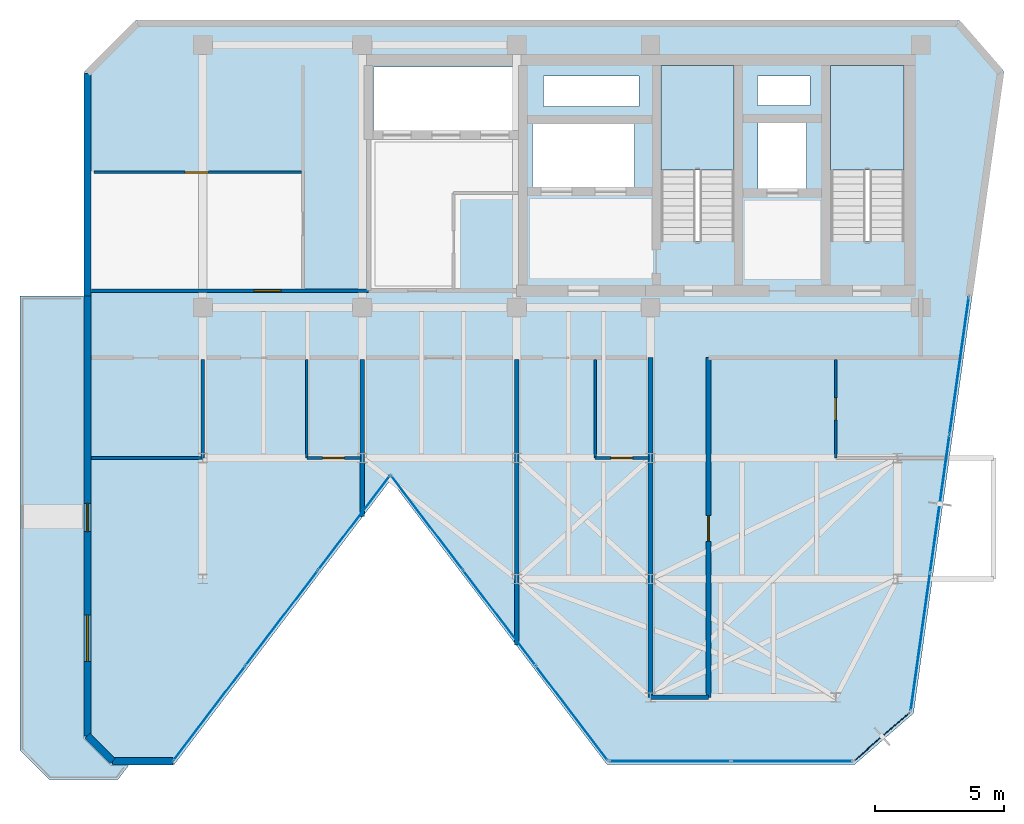
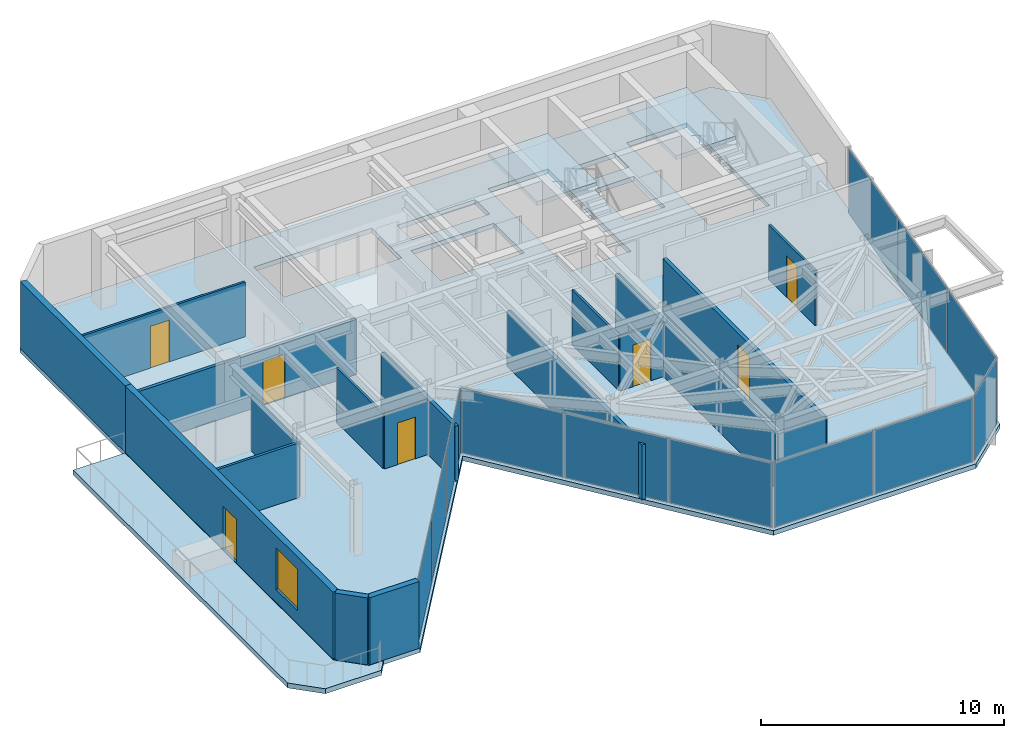
# One storey, part 12 of 16: 18 walls, 12 plates, 7 doors, 4 slabs, 1 window, 8 openings, 7 elements without a shape of their own.
"""IFC4 building model written with IfcOpenShell, lengths in metres."""

from ifc_helpers import new_model, si_unit, direction, frame, frame_2d, origin, origin_2d, place, context, subcontext, project, spatial, polyline, rectangle, outline, extrude, material, layer, layer_set, type_object, element, fill, aggregate, save


model = new_model("IFC4")

# Units and contexts
model_context = context("Model", 3, precision=1e-05, world=origin(), true_north=direction((0.0, 1.0)))
body_context = subcontext(model_context, "Body", "Model", "MODEL_VIEW")
ifc_project = project(units=[si_unit("LENGTHUNIT", "METRE"), si_unit("AREAUNIT", "SQUARE_METRE"), si_unit("VOLUMEUNIT", "CUBIC_METRE"), si_unit("PLANEANGLEUNIT", "RADIAN"), si_unit("MASSUNIT", "GRAM", prefix="KILO")], contexts=[model_context])

# Site, building, storey
site_placement = place(None, origin())
site = spatial("IfcSite", under=ifc_project, at=site_placement, CompositionType="ELEMENT")
building_placement = place(site_placement, origin())
building = spatial("IfcBuilding", under=site, at=building_placement, Name="Kravanh Interchange Tower", CompositionType="ELEMENT")
storey_placement = place(building_placement, frame((0.0, 0.0, 296.699951171875)))
storey = spatial("IfcBuildingStorey", under=building, at=storey_placement, Name="L73", CompositionType="ELEMENT", Elevation=296.699951171875)

# Curtain wall, plates
ifc_material_1 = material(Name="Anodised Bronze Aluminium", Category="aluminium")
ifc_layer_1 = layer(ifc_material_1, 0.179931640625)
ifc_layer_set_1 = layer_set([ifc_layer_1], Name="Unitised Curtain Wall System CW-HTL Luxury Hotel")
curtain_wall_type = type_object("IfcCurtainWallType", Name="Unitised Curtain Wall System CW-HTL Luxury Hotel", PredefinedType="NOTDEFINED", material=ifc_layer_set_1)
curtain_wall_1_placement = place(storey_placement, origin())
curtain_wall_1 = element("IfcCurtainWall", 1, at=curtain_wall_1_placement, inside=storey, type_object=curtain_wall_type, Name="L73 Unitised Curtain Wall CW-L73-01", PredefinedType="NOTDEFINED")
ifc_material_2 = material(Name="Low-E Laminated Architectural Glass", Category="glass")
ifc_layer_2 = layer(ifc_material_2, 0.030029296875)
ifc_layer_set_2 = layer_set([ifc_layer_2], Name="Acoustic Laminated Glazing 30mm")
plate_type = type_object("IfcPlateType", Name="Acoustic Laminated Glazing 30mm", PredefinedType="CURTAIN_PANEL", material=ifc_layer_set_2)
plate_1_placement = place(storey_placement, frame((67.99462890625, 35.092041015625, 0.06005859375), z_axis=(0.0, 0.0, 1.0), x_axis=(-0.139178207869, -0.990267350999, 0.0)))
plate_1 = element("IfcPlate", 2, at=plate_1_placement, type_object=plate_type, Name="CW-HTL panel 1.1", PredefinedType="CURTAIN_PANEL", context=body_context, shape_type="SweptSolid", body=[
    extrude(rectangle(XDim=5.34912109375, YDim=0.030029296875, at=origin_2d()), origin(), (0.0, 0.0, 1.0), 3.2451171875),
])
plate_2_placement = place(storey_placement, frame((67.239501953125, 29.720703125, 0.06005859375), z_axis=(0.0, 0.0, 1.0), x_axis=(-0.139178207869, -0.990267350999, 0.0)))
plate_2 = element("IfcPlate", 3, at=plate_2_placement, type_object=plate_type, Name="CW-HTL panel 2.1", PredefinedType="CURTAIN_PANEL", context=body_context, shape_type="SweptSolid", body=[
    extrude(rectangle(XDim=5.379150390625, YDim=0.030029296875, at=origin_2d()), origin(), (0.0, 0.0, 1.0), 3.2451171875),
])
plate_3_placement = place(storey_placement, frame((66.484619140625, 24.349609375, 0.06005859375), z_axis=(0.0, 0.0, 1.0), x_axis=(-0.139178207869, -0.990267350999, 0.0)))
plate_3 = element("IfcPlate", 4, at=plate_3_placement, type_object=plate_type, Name="CW-HTL panel 3.1", PredefinedType="CURTAIN_PANEL", context=body_context, shape_type="SweptSolid", body=[
    extrude(rectangle(XDim=5.34912109375, YDim=0.030029296875, at=origin_2d()), origin(), (0.0, 0.0, 1.0), 3.2451171875),
])
aggregate(curtain_wall_1, [plate_1, plate_2, plate_3])

# Curtain wall, plate
curtain_wall_2_placement = place(storey_placement, origin())
curtain_wall_2 = element("IfcCurtainWall", 5, at=curtain_wall_2_placement, inside=storey, type_object=curtain_wall_type, Name="L73 Unitised Curtain Wall CW-L73-02", PredefinedType="NOTDEFINED")
plate_4_placement = place(storey_placement, frame((64.998779296875, 20.680908203125, 0.06005859375), z_axis=(0.0, 0.0, 1.0), x_axis=(-0.754717231494, -0.656050227106, 0.0)))
plate_4 = element("IfcPlate", 6, at=plate_4_placement, type_object=plate_type, Name="CW-HTL panel 1.1", PredefinedType="CURTAIN_PANEL", context=body_context, shape_type="SweptSolid", body=[
    extrude(rectangle(XDim=2.80908203125, YDim=0.030029296875, at=origin_2d()), origin(), (0.0, 0.0, 1.0), 3.2451171875),
])
aggregate(curtain_wall_2, [plate_4])

# Curtain wall, plates
curtain_wall_3_placement = place(storey_placement, origin())
curtain_wall_3 = element("IfcCurtainWall", 7, at=curtain_wall_3_placement, inside=storey, type_object=curtain_wall_type, Name="L73 Unitised Curtain Wall CW-L73-03", PredefinedType="NOTDEFINED")
plate_5_placement = place(storey_placement, frame((61.4951171875, 19.719970703125, 0.06005859375), z_axis=(0.0, 0.0, 1.0), x_axis=(-1.0, 0.0, 0.0)))
plate_5 = element("IfcPlate", 8, at=plate_5_placement, type_object=plate_type, Name="CW-HTL panel 1.1", PredefinedType="CURTAIN_PANEL", context=body_context, shape_type="SweptSolid", body=[
    extrude(rectangle(XDim=4.677001953125, YDim=0.030029296875, at=origin_2d()), origin(), (0.0, 0.0, 1.0), 3.2451171875),
])
plate_6_placement = place(storey_placement, frame((56.758056640625, 19.719970703125, 0.06005859375), z_axis=(0.0, 0.0, 1.0), x_axis=(-1.0, 0.0, 0.0)))
plate_6 = element("IfcPlate", 9, at=plate_6_placement, type_object=plate_type, Name="CW-HTL panel 2.1", PredefinedType="CURTAIN_PANEL", context=body_context, shape_type="SweptSolid", body=[
    extrude(rectangle(XDim=4.677001953125, YDim=0.030029296875, at=origin_2d()), origin(), (0.0, 0.0, 1.0), 3.2451171875),
])
aggregate(curtain_wall_3, [plate_5, plate_6])

curtain_wall_4_placement = place(storey_placement, origin())
curtain_wall_4 = element("IfcCurtainWall", 10, at=curtain_wall_4_placement, inside=storey, type_object=curtain_wall_type, Name="L73 Unitised Curtain Wall CW-L73-04", PredefinedType="NOTDEFINED")
plate_7_placement = place(storey_placement, frame((52.9404296875, 21.587158203125, 0.06005859375), z_axis=(0.0, 0.0, 1.0), x_axis=(-0.605083992962, 0.796161642797, 0.0)))
plate_7 = element("IfcPlate", 11, at=plate_7_placement, type_object=plate_type, Name="CW-HTL panel 1.1", PredefinedType="CURTAIN_PANEL", context=body_context, shape_type="SweptSolid", body=[
    extrude(rectangle(XDim=4.5703125, YDim=0.030029296875, at=origin_2d()), origin(), (0.0, 0.0, 1.0), 3.2451171875),
])
plate_8_placement = place(storey_placement, frame((50.129638671875, 25.285400390625, 0.06005859375), z_axis=(0.0, 0.0, 1.0), x_axis=(-0.605083992962, 0.796161642797, 0.0)))
plate_8 = element("IfcPlate", 12, at=plate_8_placement, type_object=plate_type, Name="CW-HTL panel 2.1", PredefinedType="CURTAIN_PANEL", context=body_context, shape_type="SweptSolid", body=[
    extrude(rectangle(XDim=4.600341796875, YDim=0.030029296875, at=origin_2d()), origin(), (0.0, 0.0, 1.0), 3.2451171875),
])
plate_9_placement = place(storey_placement, frame((47.319091796875, 28.98388671875, 0.06005859375), z_axis=(0.0, 0.0, 1.0), x_axis=(-0.605083992962, 0.796161642797, 0.0)))
plate_9 = element("IfcPlate", 13, at=plate_9_placement, type_object=plate_type, Name="CW-HTL panel 3.1", PredefinedType="CURTAIN_PANEL", context=body_context, shape_type="SweptSolid", body=[
    extrude(rectangle(XDim=4.5703125, YDim=0.030029296875, at=origin_2d()), origin(), (0.0, 0.0, 1.0), 3.2451171875),
])
aggregate(curtain_wall_4, [plate_7, plate_8, plate_9])

curtain_wall_5_placement = place(storey_placement, origin())
curtain_wall_5 = element("IfcCurtainWall", 14, at=curtain_wall_5_placement, inside=storey, type_object=curtain_wall_type, Name="L73 Unitised Curtain Wall CW-L73-05", PredefinedType="NOTDEFINED")
plate_10_placement = place(storey_placement, frame((44.48095703125, 28.98388671875, 0.06005859375), z_axis=(0.0, 0.0, 1.0), x_axis=(-0.605083992962, -0.796161642797, 0.0)))
plate_10 = element("IfcPlate", 15, at=plate_10_placement, type_object=plate_type, Name="CW-HTL panel 1.1", PredefinedType="CURTAIN_PANEL", context=body_context, shape_type="SweptSolid", body=[
    extrude(rectangle(XDim=4.5703125, YDim=0.030029296875, at=origin_2d()), origin(), (0.0, 0.0, 1.0), 3.2451171875),
])
plate_11_placement = place(storey_placement, frame((41.670166015625, 25.285400390625, 0.06005859375), z_axis=(0.0, 0.0, 1.0), x_axis=(-0.605083992962, -0.796161642797, 0.0)))
plate_11 = element("IfcPlate", 16, at=plate_11_placement, type_object=plate_type, Name="CW-HTL panel 2.1", PredefinedType="CURTAIN_PANEL", context=body_context, shape_type="SweptSolid", body=[
    extrude(rectangle(XDim=4.600341796875, YDim=0.030029296875, at=origin_2d()), origin(), (0.0, 0.0, 1.0), 3.2451171875),
])
plate_12_placement = place(storey_placement, frame((38.859375, 21.587158203125, 0.06005859375), z_axis=(0.0, 0.0, 1.0), x_axis=(-0.605083992962, -0.796161642797, 0.0)))
plate_12 = element("IfcPlate", 17, at=plate_12_placement, type_object=plate_type, Name="CW-HTL panel 3.1", PredefinedType="CURTAIN_PANEL", context=body_context, shape_type="SweptSolid", body=[
    extrude(rectangle(XDim=4.5703125, YDim=0.030029296875, at=origin_2d()), origin(), (0.0, 0.0, 1.0), 3.2451171875),
])
aggregate(curtain_wall_5, [plate_10, plate_11, plate_12])

# Slab
ifc_material_3 = material(Name="Concrete C50/60", Category="concrete")
ifc_layer_3 = layer(ifc_material_3, 0.235107421875)
ifc_layer_set_3 = layer_set([ifc_layer_3], Name="Composite Floor Slab Concrete C50/60 235mm")
slab_type_1 = type_object("IfcSlabType", Name="Composite Floor Slab Concrete C50/60 235mm", PredefinedType="FLOOR", material=ifc_layer_set_3)
slab_1_placement = place(storey_placement, frame((0.0, 0.0, -0.23486328125)))
element("IfcSlab", 18, at=slab_1_placement, inside=storey, type_object=slab_type_1, Name="L73 Structural Floor Slab", PredefinedType="FLOOR", context=body_context, shape_type="SweptSolid", body=[
    extrude(outline(polyline([(34.0, 20.64990234375), (35.050048828125, 19.60009765625), (37.5, 19.60009765625), (45.89990234375, 30.652587890625), (54.300048828125, 19.60009765625), (63.9384765625, 19.60009765625), (66.216796875, 21.58056640625), (69.7216796875, 46.51953125), (68.0, 48.5), (36.0, 48.5), (34.0, 46.5), (34.0, 20.64990234375)]), holes=[polyline([(65.85009765625, 39.925048828125), (65.85009765625, 46.75), (63.0, 46.75), (63.0, 39.925048828125), (65.85009765625, 39.925048828125)]), polyline([(59.25, 39.925048828125), (59.25, 46.75), (56.39990234375, 46.75), (56.39990234375, 39.925048828125), (59.25, 39.925048828125)]), polyline([(45.239990234375, 44.219970703125), (50.840087890625, 44.219970703125), (50.840087890625, 46.699951171875), (45.239990234375, 46.699951171875), (45.239990234375, 44.219970703125)]), polyline([(51.419921875, 42.02001953125), (55.3798828125, 42.02001953125), (55.3798828125, 44.47998046875), (51.419921875, 44.47998046875), (51.419921875, 42.02001953125)]), polyline([(60.179931640625, 41.97998046875), (62.06005859375, 41.97998046875), (62.06005859375, 44.52001953125), (60.179931640625, 44.52001953125), (60.179931640625, 41.97998046875)]), polyline([(60.14990234375, 45.199951171875), (62.199951171875, 45.199951171875), (62.199951171875, 46.35009765625), (60.14990234375, 46.35009765625), (60.14990234375, 45.199951171875)]), polyline([(51.85009765625, 45.14990234375), (55.550048828125, 45.14990234375), (55.550048828125, 46.35009765625), (51.85009765625, 46.35009765625), (51.85009765625, 45.14990234375)])]), origin(), (0.0, 0.0, 1.0), 0.23486328125),
])

# Stair, slab
ifc_material_4 = material(Name="Concrete C50/60", Category="concrete")
stair_type = type_object("IfcStairType", Name="Core Fire Exit Dogleg Stair Concrete C50/60", PredefinedType="HALF_TURN_STAIR", material=ifc_material_4)
stair_1_placement = place(storey_placement, origin())
stair_1 = element("IfcStair", 19, at=stair_1_placement, inside=storey, type_object=stair_type, Name="L73 Exit Stair ST1", PredefinedType="HALF_TURN_STAIR")
ifc_material_5 = material(Name="Concrete C50/60", Category="concrete")
ifc_layer_4 = layer(ifc_material_5, 0.199951171875)
ifc_layer_set_4 = layer_set([ifc_layer_4], Name="Concrete C50/60 Stair Half-Landing Slab 200mm")
slab_type_2 = type_object("IfcSlabType", Name="Concrete C50/60 Stair Half-Landing Slab 200mm", PredefinedType="LANDING", material=ifc_layer_set_4)
slab_2_placement = place(storey_placement, frame((0.0, 0.0, 1.60009765625)))
slab_2 = element("IfcSlab", 20, at=slab_2_placement, type_object=slab_type_2, Name="ST1 landing 1", PredefinedType="LANDING", context=body_context, shape_type="SweptSolid", body=[
    extrude(outline(polyline([(65.85009765625, 42.699951171875), (65.85009765625, 46.75), (63.0, 46.75), (63.0, 42.699951171875), (65.85009765625, 42.699951171875)])), origin(), (0.0, 0.0, 1.0), 0.199951171875),
])
aggregate(stair_1, [slab_2])

stair_2_placement = place(storey_placement, origin())
stair_2 = element("IfcStair", 21, at=stair_2_placement, inside=storey, type_object=stair_type, Name="L73 Exit Stair ST2", PredefinedType="HALF_TURN_STAIR")
slab_3_placement = place(storey_placement, frame((0.0, 0.0, 1.60009765625)))
slab_3 = element("IfcSlab", 22, at=slab_3_placement, type_object=slab_type_2, Name="ST2 landing 1", PredefinedType="LANDING", context=body_context, shape_type="SweptSolid", body=[
    extrude(outline(polyline([(59.25, 42.699951171875), (59.25, 46.75), (56.39990234375, 46.75), (56.39990234375, 42.699951171875), (59.25, 42.699951171875)])), origin(), (0.0, 0.0, 1.0), 0.199951171875),
])
aggregate(stair_2, [slab_3])

# Slab
ifc_material_6 = material(Name="Concrete C50/60", Category="concrete")
ifc_layer_5 = layer(ifc_material_6, 0.25)
ifc_layer_set_5 = layer_set([ifc_layer_5], Name="Insulated Terrace Roof Slab Concrete C50/60 250mm")
slab_type_3 = type_object("IfcSlabType", Name="Insulated Terrace Roof Slab Concrete C50/60 250mm", PredefinedType="ROOF", material=ifc_layer_set_5)
slab_4_placement = place(storey_placement, frame((0.0, 0.0, -0.25)))
element("IfcSlab", 23, at=slab_4_placement, inside=storey, type_object=slab_type_3, Name="L73 Stepped Terrace Roof 1", PredefinedType="ROOF", context=body_context, shape_type="SweptSolid", body=[
    extrude(outline(polyline([(32.639892578125, 19.0), (31.5, 20.139892578125), (31.5, 37.800048828125), (33.9599609375, 37.800048828125), (33.9599609375, 20.63330078125), (35.033447265625, 19.56005859375), (35.7255859375, 19.56005859375), (35.300048828125, 19.0), (32.639892578125, 19.0)])), origin(), (0.0, 0.0, 1.0), 0.25),
])

# Walls
ifc_material_7 = material(Name="Double Acoustic Gypsum Board and Mineral Wool")
ifc_layer_6 = layer(ifc_material_7, 0.1201171875)
ifc_layer_set_6 = layer_set([ifc_layer_6], Name="Acoustic Office Drywall Partition 120mm")
wall_type_1 = type_object("IfcWallType", Name="Acoustic Office Drywall Partition 120mm", PredefinedType="PARTITIONING", material=ifc_layer_set_6)
wall_1_placement = place(storey_placement, frame((38.60009765625, 31.5, 0.0), z_axis=(0.0, 0.0, 1.0), x_axis=(0.0, 1.0, 0.0)))
element("IfcWall", 24, at=wall_1_placement, inside=storey, type_object=wall_type_1, Name="L73 Interior Partition 15", PredefinedType="PARTITIONING", context=body_context, shape_type="SweptSolid", body=[
    extrude(rectangle(XDim=3.83203125, YDim=0.1201171875, at=frame_2d((1.916015625, 0.0))), origin(), (0.0, 0.0, 1.0), 2.754150390625),
])
wall_2_placement = place(storey_placement, frame((34.284912109375, 31.5, 0.0), z_axis=(0.0, 0.0, 1.0), x_axis=(1.0, 0.0, 0.0)))
element("IfcWall", 25, at=wall_2_placement, inside=storey, type_object=wall_type_1, Name="L73 Interior Partition 16", PredefinedType="PARTITIONING", context=body_context, shape_type="SweptSolid", body=[
    extrude(rectangle(XDim=4.315185546875, YDim=0.1201171875, at=frame_2d((2.15771484375, 0.0))), origin(), (0.0, 0.0, 1.0), 2.754150390625),
])

# Wall, opening, door
ifc_material_8 = material(Name="Moisture-Resistant Gypsum Board and Mineral Wool")
ifc_layer_7 = layer(ifc_material_8, 0.10009765625)
ifc_layer_set_7 = layer_set([ifc_layer_7], Name="En-Suite Moisture-Resistant Partition 100mm")
wall_type_2 = type_object("IfcWallType", Name="En-Suite Moisture-Resistant Partition 100mm", PredefinedType="PARTITIONING", material=ifc_layer_set_7)
wall_3_placement = place(storey_placement, frame((34.3779296875, 42.60009765625, 0.0), z_axis=(0.0, 0.0, 1.0), x_axis=(1.0, 0.0, 0.0)))
wall_3 = element("IfcWall", 26, at=wall_3_placement, inside=storey, type_object=wall_type_2, Name="L73 Interior Partition 8", PredefinedType="PARTITIONING", context=body_context, shape_type="SweptSolid", body=[
    extrude(rectangle(XDim=8.053955078125, YDim=0.10009765625, at=frame_2d((4.02685546875, 0.0))), origin(), (0.0, 0.0, 1.0), 2.754150390625),
])
opening_1_placement = place(wall_3_placement, frame((3.536865234375, 0.0, 0.0)))
opening_1 = element("IfcOpeningElement", 27, at=opening_1_placement, cuts=wall_3, Name="Opening D-90", PredefinedType="OPENING", context=body_context, shape_type="SweptSolid", body=[
    extrude(rectangle(XDim=0.89990234375, YDim=2.10009765625, at=frame_2d((0.449951171875, 1.050048828125))), frame((0.0, 0.06005859375, 0.0), z_axis=(0.0, -1.0, 0.0), x_axis=(1.0, 0.0, 0.0)), (0.0, 0.0, 1.0), 0.1201171875),
])
ifc_material_9 = material(Name="Painted Solid-Core Timber", Category="wood")
door_type_1 = type_object("IfcDoorType", Name="Service Room Door 900x2100", OperationType="NOTDEFINED", PredefinedType="DOOR", material=ifc_material_9)
door_1_placement = place(opening_1_placement, origin())
door_1 = element("IfcDoor", 28, at=door_1_placement, inside=storey, type_object=door_type_1, Name="L73 Quiet Reading Alcove Inner Door", OperationType="SINGLE_SWING_LEFT", OverallHeight=2.10009765625, OverallWidth=0.89990234375, PredefinedType="DOOR", context=body_context, shape_type="SweptSolid", body=[
    extrude(rectangle(XDim=0.89990234375, YDim=2.10009765625, at=frame_2d((0.449951171875, 1.050048828125))), frame((0.0, 0.02490234375, 0.0), z_axis=(0.0, -1.0, 0.0), x_axis=(1.0, 0.0, 0.0)), (0.0, 0.0, 1.0), 0.050048828125),
])
fill(opening_1, door_1)

wall_4_placement = place(storey_placement, frame((63.199951171875, 31.5, 0.0), z_axis=(0.0, 0.0, 1.0), x_axis=(0.0, 1.0, 0.0)))
wall_4 = element("IfcWall", 29, at=wall_4_placement, inside=storey, type_object=wall_type_2, Name="L73 Interior Partition 18", PredefinedType="PARTITIONING", context=body_context, shape_type="SweptSolid", body=[
    extrude(rectangle(XDim=3.83203125, YDim=0.10009765625, at=frame_2d((1.916015625, 0.0))), origin(), (0.0, 0.0, 1.0), 2.754150390625),
])
opening_2_placement = place(wall_4_placement, frame((1.48486328125, 0.0, 0.0)))
opening_2 = element("IfcOpeningElement", 30, at=opening_2_placement, cuts=wall_4, Name="Opening D-85", PredefinedType="OPENING", context=body_context, shape_type="SweptSolid", body=[
    extrude(rectangle(XDim=0.85009765625, YDim=2.10009765625, at=frame_2d((0.425048828125, 1.050048828125))), frame((0.0, 0.06005859375, 0.0), z_axis=(0.0, -1.0, 0.0), x_axis=(1.0, 0.0, 0.0)), (0.0, 0.0, 1.0), 0.1201171875),
])
ifc_material_10 = material(Name="Engineered Teak Veneer Timber", Category="wood")
door_type_2 = type_object("IfcDoorType", Name="En-Suite Timber Door 850x2100", OperationType="NOTDEFINED", PredefinedType="DOOR", material=ifc_material_10)
door_2_placement = place(opening_2_placement, origin())
door_2 = element("IfcDoor", 31, at=door_2_placement, inside=storey, type_object=door_type_2, Name="L73 En-suite Bathroom Door", OperationType="SINGLE_SWING_LEFT", OverallHeight=2.10009765625, OverallWidth=0.85009765625, PredefinedType="DOOR", context=body_context, shape_type="SweptSolid", body=[
    extrude(rectangle(XDim=0.85009765625, YDim=2.10009765625, at=frame_2d((0.425048828125, 1.050048828125))), frame((0.0, 0.02490234375, 0.0), z_axis=(0.0, -1.0, 0.0), x_axis=(1.0, 0.0, 0.0)), (0.0, 0.0, 1.0), 0.050048828125),
])
fill(opening_2, door_2)

# Wall
wall_5_placement = place(storey_placement, frame((42.64990234375, 31.5, 0.0), z_axis=(0.0, 0.0, 1.0), x_axis=(0.0, 1.0, 0.0)))
element("IfcWall", 32, at=wall_5_placement, inside=storey, type_object=wall_type_2, Name="L73 Interior Partition 19", PredefinedType="PARTITIONING", context=body_context, shape_type="SweptSolid", body=[
    extrude(rectangle(XDim=3.83203125, YDim=0.10009765625, at=frame_2d((1.916015625, 0.0))), origin(), (0.0, 0.0, 1.0), 2.754150390625),
])

# Wall, opening, door
wall_6_placement = place(storey_placement, frame((42.64990234375, 31.5, 0.0), z_axis=(0.0, 0.0, 1.0), x_axis=(1.0, 0.0, 0.0)))
wall_6 = element("IfcWall", 33, at=wall_6_placement, inside=storey, type_object=wall_type_2, Name="L73 Interior Partition 20", PredefinedType="PARTITIONING", context=body_context, shape_type="SweptSolid", body=[
    extrude(rectangle(XDim=2.08203125, YDim=0.10009765625, at=frame_2d((1.041015625, 0.0))), origin(), (0.0, 0.0, 1.0), 2.754150390625),
])
opening_3_placement = place(wall_6_placement, frame((0.607421875, 0.0, 0.0)))
opening_3 = element("IfcOpeningElement", 34, at=opening_3_placement, cuts=wall_6, Name="Opening D-85", PredefinedType="OPENING", context=body_context, shape_type="SweptSolid", body=[
    extrude(rectangle(XDim=0.85009765625, YDim=2.10009765625, at=frame_2d((0.425048828125, 1.050048828125))), frame((0.0, 0.06005859375, 0.0), z_axis=(0.0, -1.0, 0.0), x_axis=(1.0, 0.0, 0.0)), (0.0, 0.0, 1.0), 0.1201171875),
])
door_3_placement = place(opening_3_placement, origin())
door_3 = element("IfcDoor", 35, at=door_3_placement, inside=storey, type_object=door_type_2, Name="L73 En-suite Bathroom Door", OperationType="SINGLE_SWING_LEFT", OverallHeight=2.10009765625, OverallWidth=0.85009765625, PredefinedType="DOOR", context=body_context, shape_type="SweptSolid", body=[
    extrude(rectangle(XDim=0.85009765625, YDim=2.10009765625, at=frame_2d((0.425048828125, 1.050048828125))), frame((0.0, 0.02490234375, 0.0), z_axis=(0.0, -1.0, 0.0), x_axis=(1.0, 0.0, 0.0)), (0.0, 0.0, 1.0), 0.050048828125),
])
fill(opening_3, door_3)

# Wall
wall_7_placement = place(storey_placement, frame((53.85009765625, 31.5, 0.0), z_axis=(0.0, 0.0, 1.0), x_axis=(0.0, 1.0, 0.0)))
element("IfcWall", 36, at=wall_7_placement, inside=storey, type_object=wall_type_2, Name="L73 Interior Partition 23", PredefinedType="PARTITIONING", context=body_context, shape_type="SweptSolid", body=[
    extrude(rectangle(XDim=3.83203125, YDim=0.10009765625, at=frame_2d((1.916015625, 0.0))), origin(), (0.0, 0.0, 1.0), 2.754150390625),
])

# Wall, opening, door
wall_8_placement = place(storey_placement, frame((53.85009765625, 31.5, 0.0), z_axis=(0.0, 0.0, 1.0), x_axis=(1.0, 0.0, 0.0)))
wall_8 = element("IfcWall", 37, at=wall_8_placement, inside=storey, type_object=wall_type_2, Name="L73 Interior Partition 24", PredefinedType="PARTITIONING", context=body_context, shape_type="SweptSolid", body=[
    extrude(rectangle(XDim=2.081787109375, YDim=0.10009765625, at=frame_2d((1.041015625, 0.0))), origin(), (0.0, 0.0, 1.0), 2.754150390625),
])
opening_4_placement = place(wall_8_placement, frame((0.607421875, 0.0, 0.0)))
opening_4 = element("IfcOpeningElement", 38, at=opening_4_placement, cuts=wall_8, Name="Opening D-85", PredefinedType="OPENING", context=body_context, shape_type="SweptSolid", body=[
    extrude(rectangle(XDim=0.85009765625, YDim=2.10009765625, at=frame_2d((0.425048828125, 1.050048828125))), frame((0.0, 0.06005859375, 0.0), z_axis=(0.0, -1.0, 0.0), x_axis=(1.0, 0.0, 0.0)), (0.0, 0.0, 1.0), 0.1201171875),
])
door_4_placement = place(opening_4_placement, origin())
door_4 = element("IfcDoor", 39, at=door_4_placement, inside=storey, type_object=door_type_2, Name="L73 En-suite Bathroom Door", OperationType="SINGLE_SWING_RIGHT", OverallHeight=2.10009765625, OverallWidth=0.85009765625, PredefinedType="DOOR", context=body_context, shape_type="SweptSolid", body=[
    extrude(rectangle(XDim=0.85009765625, YDim=2.10009765625, at=frame_2d((0.425048828125, 1.050048828125))), frame((0.0, 0.02490234375, 0.0), z_axis=(0.0, -1.0, 0.0), x_axis=(1.0, 0.0, 0.0)), (0.0, 0.0, 1.0), 0.050048828125),
])
fill(opening_4, door_4)

# Wall, openings, door, window
ifc_material_11 = material(Name="Insulated Precast Concrete C40/50 with Bronze Cladding", Category="concrete")
ifc_layer_8 = layer(ifc_material_11, 0.280029296875)
ifc_layer_set_8 = layer_set([ifc_layer_8], Name="Exterior Insulated Concrete C40/50 Bronze Spandrel Wall 280mm")
wall_type_3 = type_object("IfcWallType", Name="Exterior Insulated Concrete C40/50 Bronze Spandrel Wall 280mm", PredefinedType="STANDARD", material=ifc_layer_set_8)
wall_9_placement = place(storey_placement, frame((34.1201171875, 20.69970703125, 0.0), z_axis=(0.0, 0.0, 1.0), x_axis=(0.0, 1.0, 0.0)))
wall_9 = element("IfcWall", 40, at=wall_9_placement, inside=storey, type_object=wall_type_3, Name="L73 Exterior Wall 1", PredefinedType="STANDARD", context=body_context, shape_type="SweptSolid", body=[
    extrude(rectangle(XDim=17.100341796875, YDim=0.280029296875, at=frame_2d((8.55029296875, 0.0))), origin(), (0.0, 0.0, 1.0), 3.364990234375),
])
opening_5_placement = place(wall_9_placement, frame((7.940185546875, 0.0, 0.0)))
opening_5 = element("IfcOpeningElement", 41, at=opening_5_placement, cuts=wall_9, Name="Opening ED-TERR110", PredefinedType="OPENING", context=body_context, shape_type="SweptSolid", body=[
    extrude(rectangle(XDim=1.10009765625, YDim=2.199951171875, at=frame_2d((0.550048828125, 1.10009765625))), frame((0.0, 0.14990234375, 0.0), z_axis=(0.0, -1.0, 0.0), x_axis=(1.0, 0.0, 0.0)), (0.0, 0.0, 1.0), 0.300048828125),
])
opening_6_placement = place(wall_9_placement, frame((2.897216796875, 0.0, 0.64990234375)))
opening_6 = element("IfcOpeningElement", 42, at=opening_6_placement, cuts=wall_9, Name="Opening WN-180X210", PredefinedType="OPENING", context=body_context, shape_type="SweptSolid", body=[
    extrude(rectangle(XDim=1.800048828125, YDim=2.10009765625, at=frame_2d((0.89990234375, 1.050048828125))), frame((0.0, 0.14990234375, 0.0), z_axis=(0.0, -1.0, 0.0), x_axis=(1.0, 0.0, 0.0)), (0.0, 0.0, 1.0), 0.300048828125),
])
ifc_material_12 = material(Name="Thermally Broken Bronze Aluminium and Laminated Glass", Category="aluminium")
door_type_3 = type_object("IfcDoorType", Name="Terrace Access Glazed Door 1100x2200", OperationType="NOTDEFINED", PredefinedType="DOOR", material=ifc_material_12)
door_5_placement = place(opening_5_placement, origin())
door_5 = element("IfcDoor", 43, at=door_5_placement, inside=storey, type_object=door_type_3, Name="L73 Stepped Sky Terrace Access Door", OperationType="SINGLE_SWING_LEFT", OverallHeight=2.199951171875, OverallWidth=1.10009765625, PredefinedType="DOOR", context=body_context, shape_type="SweptSolid", body=[
    extrude(rectangle(XDim=1.10009765625, YDim=2.199951171875, at=frame_2d((0.550048828125, 1.10009765625))), frame((0.0, 0.02490234375, 0.0), z_axis=(0.0, -1.0, 0.0), x_axis=(1.0, 0.0, 0.0)), (0.0, 0.0, 1.0), 0.050048828125),
])
fill(opening_5, door_5)
ifc_material_13 = material(Name="Thermally Broken Bronze Aluminium and Low-E Glass", Category="aluminium")
window_type = type_object("IfcWindowType", Name="Tower Pier Window 1800x2100", PartitioningType="SINGLE_PANEL", PredefinedType="WINDOW", material=ifc_material_13)
window_placement = place(opening_6_placement, origin())
window = element("IfcWindow", 44, at=window_placement, inside=storey, type_object=window_type, Name="L73 Terrace Facade Window", OverallHeight=2.10009765625, OverallWidth=1.800048828125, PartitioningType="SINGLE_PANEL", PredefinedType="WINDOW", context=body_context, shape_type="SweptSolid", body=[
    extrude(rectangle(XDim=1.800048828125, YDim=2.10009765625, at=frame_2d((0.89990234375, 1.050048828125))), frame((0.0, 0.030029296875, 0.0), z_axis=(0.0, -1.0, 0.0), x_axis=(1.0, 0.0, 0.0)), (0.0, 0.0, 1.0), 0.06005859375),
])
fill(opening_6, window)

# Walls
wall_10_placement = place(storey_placement, frame((34.1201171875, 37.800048828125, 0.0), z_axis=(0.0, 0.0, 1.0), x_axis=(0.0, 1.0, 0.0)))
element("IfcWall", 45, at=wall_10_placement, inside=storey, type_object=wall_type_3, Name="L73 Exterior Wall 2", PredefinedType="STANDARD", context=body_context, shape_type="SweptSolid", body=[
    extrude(rectangle(XDim=8.650146484375, YDim=0.280029296875, at=frame_2d((4.3251953125, 0.0))), origin(), (0.0, 0.0, 1.0), 3.364990234375),
])
wall_11_placement = place(storey_placement, frame((37.4404296875, 19.719970703125, 0.0), z_axis=(0.0, 0.0, 1.0), x_axis=(-1.0, 0.0, 0.0)))
element("IfcWall", 46, at=wall_11_placement, inside=storey, type_object=wall_type_3, Name="L73 Exterior Wall 7", PredefinedType="STANDARD", context=body_context, shape_type="SweptSolid", body=[
    extrude(rectangle(XDim=2.3408203125, YDim=0.280029296875, at=frame_2d((1.17041015625, 0.0))), origin(), (0.0, 0.0, 1.0), 3.364990234375),
])
wall_12_placement = place(storey_placement, frame((35.099609375, 19.719970703125, 0.0), z_axis=(0.0, 0.0, 1.0), x_axis=(-0.707018662703, 0.70719488869, 0.0)))
element("IfcWall", 47, at=wall_12_placement, inside=storey, type_object=wall_type_3, Name="L73 Exterior Wall 8", PredefinedType="STANDARD", context=body_context, shape_type="SweptSolid", body=[
    extrude(rectangle(XDim=1.385498046875, YDim=0.280029296875, at=frame_2d((0.69287109375, 0.0))), origin(), (0.0, 0.0, 1.0), 3.364990234375),
])
ifc_material_14 = material(Name="Autoclaved Aerated Concrete C30/37 Blockwork", Category="masonry")
ifc_layer_9 = layer(ifc_material_14, 0.179931640625)
ifc_layer_set_9 = layer_set([ifc_layer_9], Name="Fire-Rated Lobby and Corridor Wall Concrete C30/37 180mm")
wall_type_4 = type_object("IfcWallType", Name="Fire-Rated Lobby and Corridor Wall Concrete C30/37 180mm", PredefinedType="STANDARD", material=ifc_layer_set_9)
wall_13_placement = place(storey_placement, frame((56.0, 22.199951171875, 0.0), z_axis=(0.0, 0.0, 1.0), x_axis=(0.0, 1.0, 0.0)))
element("IfcWall", 48, at=wall_13_placement, inside=storey, type_object=wall_type_4, Name="L73 Interior Partition 12", PredefinedType="STANDARD", context=body_context, shape_type="SweptSolid", body=[
    extrude(rectangle(XDim=13.199951171875, YDim=0.179931640625, at=frame_2d((6.60009765625, 0.0))), origin(), (0.0, 0.0, 1.0), 2.754150390625),
])

# Wall, opening, door
wall_14_placement = place(storey_placement, frame((58.25, 22.199951171875, 0.0), z_axis=(0.0, 0.0, 1.0), x_axis=(0.0, 1.0, 0.0)))
wall_14 = element("IfcWall", 49, at=wall_14_placement, inside=storey, type_object=wall_type_4, Name="L73 Interior Partition 13", PredefinedType="STANDARD", context=body_context, shape_type="SweptSolid", body=[
    extrude(rectangle(XDim=13.199951171875, YDim=0.179931640625, at=frame_2d((6.60009765625, 0.0))), origin(), (0.0, 0.0, 1.0), 2.754150390625),
])
opening_7_placement = place(wall_14_placement, frame((6.06005859375, 0.0, 0.0)))
opening_7 = element("IfcOpeningElement", 50, at=opening_7_placement, cuts=wall_14, Name="Opening D-HOTEL-100", PredefinedType="OPENING", context=body_context, shape_type="SweptSolid", body=[
    extrude(rectangle(XDim=1.0, YDim=2.14990234375, at=frame_2d((0.5, 1.074951171875))), frame((0.0, 0.10009765625, 0.0), z_axis=(0.0, -1.0, 0.0), x_axis=(1.0, 0.0, 0.0)), (0.0, 0.0, 1.0), 0.199951171875),
])
ifc_material_15 = material(Name="Fire-Rated Solid Timber Leaf", Category="wood")
door_type_4 = type_object("IfcDoorType", Name="Fire-Rated Suite Entrance Door 1000x2150", OperationType="NOTDEFINED", PredefinedType="DOOR", material=ifc_material_15)
door_6_placement = place(opening_7_placement, origin())
door_6 = element("IfcDoor", 51, at=door_6_placement, inside=storey, type_object=door_type_4, Name="L73 Royal Panorama Hotel Suite Entrance Door", OperationType="SINGLE_SWING_RIGHT", OverallHeight=2.14990234375, OverallWidth=1.0, PredefinedType="DOOR", context=body_context, shape_type="SweptSolid", body=[
    extrude(rectangle(XDim=1.0, YDim=2.14990234375, at=frame_2d((0.5, 1.074951171875))), frame((0.0, 0.02490234375, 0.0), z_axis=(0.0, -1.0, 0.0), x_axis=(1.0, 0.0, 0.0)), (0.0, 0.0, 1.0), 0.050048828125),
])
fill(opening_7, door_6)

# Walls
wall_15_placement = place(storey_placement, frame((56.0, 22.199951171875, 0.0), z_axis=(0.0, 0.0, 1.0), x_axis=(1.0, 0.0, 0.0)))
element("IfcWall", 52, at=wall_15_placement, inside=storey, type_object=wall_type_4, Name="L73 Interior Partition 14", PredefinedType="STANDARD", context=body_context, shape_type="SweptSolid", body=[
    extrude(rectangle(XDim=2.25, YDim=0.179931640625, at=frame_2d((1.125, 0.0))), origin(), (0.0, 0.0, 1.0), 2.754150390625),
])
wall_16_placement = place(storey_placement, frame((44.800048828125, 29.22998046875, 0.0), z_axis=(0.0, 0.0, 1.0), x_axis=(0.0, 1.0, 0.0)))
element("IfcWall", 53, at=wall_16_placement, inside=storey, type_object=wall_type_4, Name="L73 Interior Partition 21", PredefinedType="STANDARD", context=body_context, shape_type="SweptSolid", body=[
    extrude(rectangle(XDim=6.10205078125, YDim=0.179931640625, at=frame_2d((3.051025390625, 0.0))), origin(), (0.0, 0.0, 1.0), 2.754150390625),
])
wall_17_placement = place(storey_placement, frame((50.800048828125, 24.22998046875, 0.0), z_axis=(0.0, 0.0, 1.0), x_axis=(0.0, 1.0, 0.0)))
element("IfcWall", 54, at=wall_17_placement, inside=storey, type_object=wall_type_4, Name="L73 Interior Partition 22", PredefinedType="STANDARD", context=body_context, shape_type="SweptSolid", body=[
    extrude(rectangle(XDim=11.10205078125, YDim=0.179931640625, at=frame_2d((5.551025390625, 0.0))), origin(), (0.0, 0.0, 1.0), 2.754150390625),
])

# Wall, opening, door
ifc_material_16 = material(Name="Twin Stud Acoustic Gypsum Board Wall")
ifc_layer_10 = layer(ifc_material_16, 0.14990234375)
ifc_layer_set_10 = layer_set([ifc_layer_10], Name="Medium-Duty Acoustic Partition 150mm")
wall_type_5 = type_object("IfcWallType", Name="Medium-Duty Acoustic Partition 150mm", PredefinedType="PARTITIONING", material=ifc_layer_set_10)
wall_18_placement = place(storey_placement, frame((34.284912109375, 38.0, 0.0), z_axis=(0.0, 0.0, 1.0), x_axis=(1.0, 0.0, 0.0)))
wall_18 = element("IfcWall", 55, at=wall_18_placement, inside=storey, type_object=wall_type_5, Name="L73 Interior Partition 5", PredefinedType="PARTITIONING", context=body_context, shape_type="SweptSolid", body=[
    extrude(rectangle(XDim=10.76513671875, YDim=0.14990234375, at=frame_2d((5.382568359375, 0.0))), origin(), (0.0, 0.0, 1.0), 2.754150390625),
])
opening_8_placement = place(wall_18_placement, frame((6.31494140625, 0.0, 0.0)))
opening_8 = element("IfcOpeningElement", 56, at=opening_8_placement, cuts=wall_18, Name="Opening D-105", PredefinedType="OPENING", context=body_context, shape_type="SweptSolid", body=[
    extrude(rectangle(XDim=1.050048828125, YDim=2.199951171875, at=frame_2d((0.52490234375, 1.10009765625))), frame((0.0, 0.0849609375, 0.0), z_axis=(0.0, -1.0, 0.0), x_axis=(1.0, 0.0, 0.0)), (0.0, 0.0, 1.0), 0.169921875),
])
ifc_material_17 = material(Name="Acoustic Glazed Oak and Aluminium", Category="aluminium")
door_type_5 = type_object("IfcDoorType", Name="Office Workplace Door 1050x2200", OperationType="NOTDEFINED", PredefinedType="DOOR", material=ifc_material_17)
door_7_placement = place(opening_8_placement, origin())
door_7 = element("IfcDoor", 57, at=door_7_placement, inside=storey, type_object=door_type_5, Name="L73 Executive Business Study Door", OperationType="SINGLE_SWING_RIGHT", OverallHeight=2.199951171875, OverallWidth=1.050048828125, PredefinedType="DOOR", context=body_context, shape_type="SweptSolid", body=[
    extrude(rectangle(XDim=1.050048828125, YDim=2.199951171875, at=frame_2d((0.52490234375, 1.10009765625))), frame((0.0, 0.02490234375, 0.0), z_axis=(0.0, -1.0, 0.0), x_axis=(1.0, 0.0, 0.0)), (0.0, 0.0, 1.0), 0.050048828125),
])
fill(opening_8, door_7)

save(model, "model.ifc")
